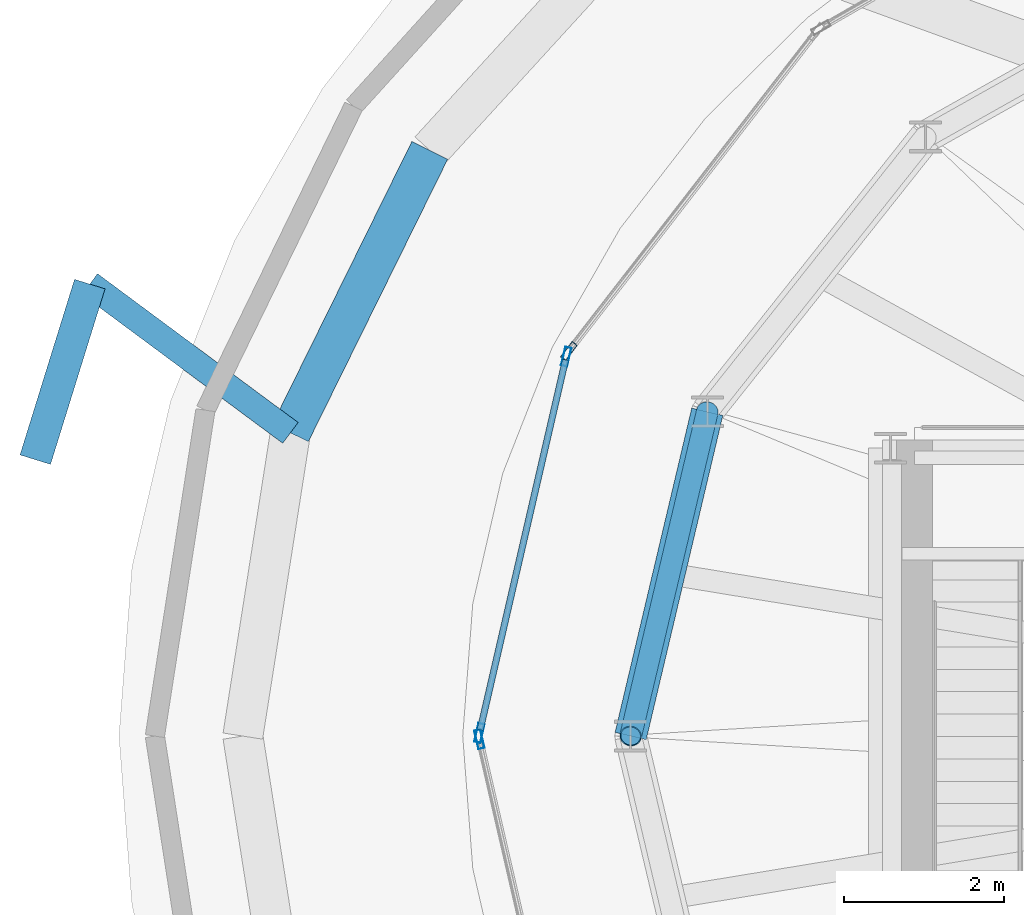
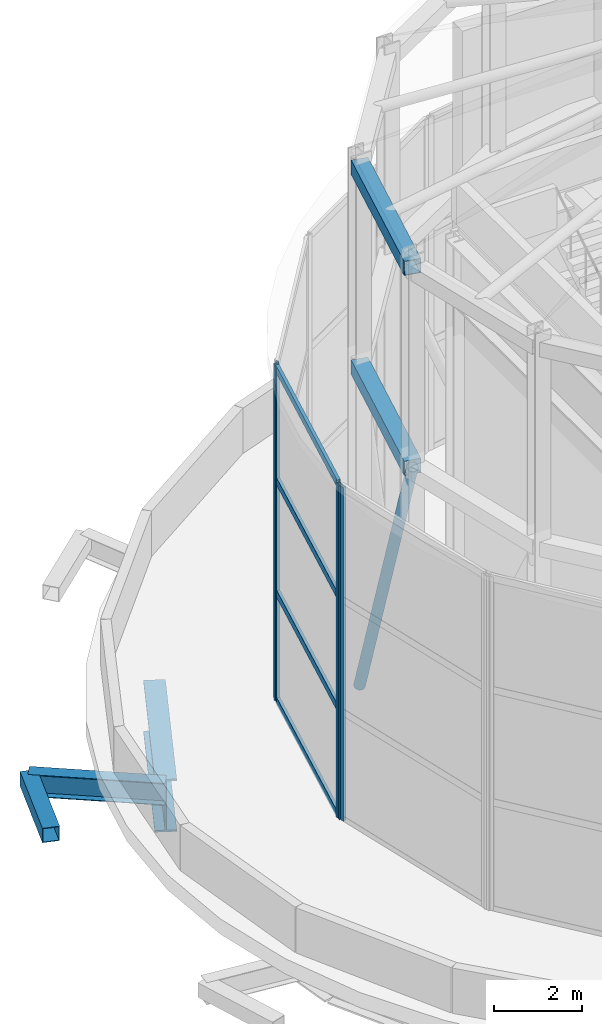
# One storey, part 10 of 22: 9 members, 5 beams, 3 elements without a shape of their own.
"""IFC4 building model written with IfcOpenShell, lengths in metres."""

from ifc_helpers import new_model, si_unit, direction, frame, origin, origin_2d, place, context, subcontext, project, spatial, hollow_rectangle, hollow_circle, i_section, extrude, material, layer, layer_set, material_profile, profile_set, type_object, element, aggregate, save


model = new_model("IFC4")

# Units and contexts
model_context = context("Model", 3, precision=1e-05, world=origin(), true_north=direction((0.0, 1.0)))
body_context = subcontext(model_context, "Body", "Model", "MODEL_VIEW")
ifc_project = project(units=[si_unit("LENGTHUNIT", "METRE"), si_unit("AREAUNIT", "SQUARE_METRE"), si_unit("VOLUMEUNIT", "CUBIC_METRE"), si_unit("PLANEANGLEUNIT", "RADIAN"), si_unit("MASSUNIT", "GRAM", prefix="KILO")], contexts=[model_context])

# Site, building, storey
site_placement = place(None, origin())
site = spatial("IfcSite", under=ifc_project, at=site_placement, CompositionType="ELEMENT")
building_placement = place(site_placement, origin())
building = spatial("IfcBuilding", under=site, at=building_placement, Name="Nuhasar Tower", CompositionType="ELEMENT")
storey_placement = place(building_placement, frame((0.0, 0.0, 313.39990234375)))
storey = spatial("IfcBuildingStorey", under=building, at=storey_placement, Name="Roof Drum", CompositionType="ELEMENT", Elevation=313.39990234375)

# Beams
ifc_material_1 = material(Name="Steel S355", Category="steel")
ifc_material_profile_1 = material_profile(ifc_material_1, hollow_rectangle(XDim=0.39990234375, YDim=0.39990234375, WallThickness=0.01611328125, at=origin_2d()), Name="HSS400X400X16")
ifc_profile_set_1 = profile_set([ifc_material_profile_1], Name="Steel S355")
beam_type_1 = type_object("IfcBeamType", Name="BM-CRN-HSS400", PredefinedType="SPANDREL", material=ifc_profile_set_1)
beam_1_placement = place(storey_placement, frame((19.635986328125, 32.452880859375, -0.619873046875), z_axis=(-0.296569540832, -0.955011260379, 0.0), x_axis=(0.955011260379, -0.296569540832, 0.0)))
element("IfcBeam", 1, at=beam_1_placement, inside=storey, type_object=beam_type_1, Name="Roof Drum Top Exoskeleton Collar Beam 06", PredefinedType="SPANDREL", context=body_context, shape_type="SweptSolid", body=[
    extrude(hollow_rectangle(XDim=0.39990234375, YDim=0.39990234375, WallThickness=0.01611328125, at=origin_2d()), origin(), (0.0, 0.0, 1.0), 2.29931640625),
])
for number, where, z_axis, x_axis, name in (
    (2, (27.35888671875, 30.85595703125, 9.02001953125), (-0.230097071892, -0.973167682112, 0.0), (0.973167682112, -0.230097071892, 0.0), "Crown Drum Eave Ring Beam 08"),
    (3, (27.35888671875, 30.85595703125, 14.5400390625), (-0.230097071892, -0.973167682112, 0.0), (0.973167682112, -0.230097071892, 0.0), "Crown Drum Top Ring Beam 08"),
):
    element("IfcBeam", number, at=place(storey_placement, frame(where, z_axis=z_axis, x_axis=x_axis)), inside=storey, type_object=beam_type_1, Name=name, PredefinedType="SPANDREL", context=body_context, shape_type="SweptSolid", body=[
        extrude(hollow_rectangle(XDim=0.39990234375, YDim=0.39990234375, WallThickness=0.01611328125, at=origin_2d()), origin(), (0.0, 0.0, 1.0), 4.167724609375),
    ])
ifc_material_profile_2 = material_profile(ifc_material_1, i_section(OverallWidth=0.323974609375, OverallDepth=0.611083984375, WebThickness=0.0126953125, FlangeThickness=0.01904296875, at=origin_2d()), Name="W24X104")
ifc_profile_set_2 = profile_set([ifc_material_profile_2], Name="Steel S355")
beam_type_2 = type_object("IfcBeamType", Name="BM-TIE-W24X104", PredefinedType="BEAM", material=ifc_profile_set_2)
beam_2_placement = place(storey_placement, frame((22.14501953125, 30.592041015625, -0.724853515625), z_axis=(-0.803205387389, 0.595702195454, 0.0), x_axis=(-0.595702195454, -0.803205387389, 0.0)))
element("IfcBeam", 4, at=beam_2_placement, inside=storey, type_object=beam_type_2, Name="Roof Drum Top Exoskeleton Tie Beam 06", PredefinedType="BEAM", context=body_context, shape_type="SweptSolid", body=[
    extrude(i_section(OverallWidth=0.323974609375, OverallDepth=0.611083984375, WebThickness=0.0126953125, FlangeThickness=0.01904296875, at=origin_2d()), origin(), (0.0, 0.0, 1.0), 3.123779296875),
])
ifc_material_2 = material(Name="Steel S460", Category="steel")
ifc_material_profile_3 = material_profile(ifc_material_2, i_section(OverallWidth=0.5, OverallDepth=1.449951171875, WebThickness=0.028076171875, FlangeThickness=0.050048828125, at=origin_2d()), Name="PG1450X500")
ifc_profile_set_3 = profile_set([ifc_material_profile_3], Name="Steel S460")
beam_type_3 = type_object("IfcBeamType", Name="BM-XFER-PG1450", PredefinedType="USERDEFINED", material=ifc_profile_set_3)
beam_3_placement = place(storey_placement, frame((23.887939453125, 34.125, -1.14501953125), z_axis=(-0.442422907363, -0.896806540476, 0.0), x_axis=(0.896806540476, -0.442422907363, 0.0)))
element("IfcBeam", 5, at=beam_3_placement, inside=storey, type_object=beam_type_3, Name="Roof Drum Outer Setback Spandrel 11", ObjectType="GIRDER", PredefinedType="USERDEFINED", context=body_context, shape_type="SweptSolid", body=[
    extrude(i_section(OverallWidth=0.5, OverallDepth=1.449951171875, WebThickness=0.028076171875, FlangeThickness=0.050048828125, at=origin_2d()), origin(), (0.0, 0.0, 1.0), 3.939453125),
])

# Member
ifc_material_profile_4 = material_profile(ifc_material_1, hollow_circle(Radius=0.136474609375, WallThickness=0.0126953125, at=origin_2d()), Name="HSS273.1X12.7")
ifc_profile_set_4 = profile_set([ifc_material_profile_4], Name="Steel S355")
member_type_1 = type_object("IfcMemberType", Name="CRN-DIAG-273", PredefinedType="BRACE", material=ifc_profile_set_4)
member_1_placement = place(storey_placement, frame((27.35888671875, 30.85595703125, 0.2001953125), z_axis=(-0.098307310955, -0.41577885868, 0.904136943879), x_axis=(0.973167682112, -0.230097071892, 0.0)))
element("IfcMember", 6, at=member_1_placement, inside=storey, type_object=member_type_1, Name="Crown Drum Frame Brace 08", PredefinedType="BRACE", context=body_context, shape_type="SweptSolid", body=[
    extrude(hollow_circle(Radius=0.136474609375, WallThickness=0.0126953125, at=origin_2d()), origin(), (0.0, 0.0, 1.0), 9.7548828125),
])

# Curtain wall, member
ifc_material_3 = material(Name="Aluminium 6063-T6", Category="aluminium")
ifc_layer = layer(ifc_material_3, 0.219970703125)
ifc_layer_set = layer_set([ifc_layer], Name="Aluminium 6063-T6")
curtain_wall_type = type_object("IfcCurtainWallType", Name="CW-CROWN", PredefinedType="NOTDEFINED", material=ifc_layer_set)
curtain_wall_1_placement = place(storey_placement, origin())
curtain_wall_1 = element("IfcCurtainWall", 7, at=curtain_wall_1_placement, inside=storey, type_object=curtain_wall_type, Name="Crown Lantern Curtain Wall 07", PredefinedType="NOTDEFINED")
ifc_material_profile_5 = material_profile(ifc_material_3, hollow_rectangle(XDim=0.080078125, YDim=0.239990234375, WallThickness=0.0048828125, at=origin_2d()), Name="CWM-7")
ifc_profile_set_5 = profile_set([ifc_material_profile_5], Name="Aluminium 6063-T6")
member_type_2 = type_object("IfcMemberType", Name="CW-MUL-S7", PredefinedType="MULLION", material=ifc_profile_set_5)
member_2_placement = place(storey_placement, frame((25.62841796875, 31.61572265625, 0.0), z_axis=(0.0, 0.0, 1.0), x_axis=(0.79037966023, -0.612617329738, 0.0)))
member_2 = element("IfcMember", 8, at=member_2_placement, type_object=member_type_2, Name="CW-CR mullion 2", PredefinedType="MULLION", context=body_context, shape_type="SweptSolid", body=[
    extrude(hollow_rectangle(XDim=0.080078125, YDim=0.239990234375, WallThickness=0.0048828125, at=origin_2d()), origin(), (0.0, 0.0, 1.0), 9.22021484375),
])
aggregate(curtain_wall_1, [member_2])

# Curtain wall, members
curtain_wall_2_placement = place(storey_placement, origin())
curtain_wall_2 = element("IfcCurtainWall", 9, at=curtain_wall_2_placement, inside=storey, type_object=curtain_wall_type, Name="Crown Lantern Curtain Wall 08", PredefinedType="NOTDEFINED")
member_3_placement = place(storey_placement, frame((25.594970703125, 31.544921875, 0.0), z_axis=(0.0, 0.0, 1.0), x_axis=(0.974391195694, -0.2248595067, 0.0)))
member_3 = element("IfcMember", 10, at=member_3_placement, type_object=member_type_2, Name="CW-CR mullion 1", PredefinedType="MULLION", context=body_context, shape_type="SweptSolid", body=[
    extrude(hollow_rectangle(XDim=0.080078125, YDim=0.239990234375, WallThickness=0.0048828125, at=origin_2d()), origin(), (0.0, 0.0, 1.0), 9.22021484375),
])
member_4_placement = place(storey_placement, frame((24.509033203125, 26.8388671875, 0.0), z_axis=(0.0, 0.0, 1.0), x_axis=(0.974391195694, -0.2248595067, 0.0)))
member_4 = element("IfcMember", 11, at=member_4_placement, type_object=member_type_2, Name="CW-CR mullion 2", PredefinedType="MULLION", context=body_context, shape_type="SweptSolid", body=[
    extrude(hollow_rectangle(XDim=0.080078125, YDim=0.239990234375, WallThickness=0.0048828125, at=origin_2d()), origin(), (0.0, 0.0, 1.0), 9.22021484375),
])

# Curtain wall, member
curtain_wall_3_placement = place(storey_placement, origin())
curtain_wall_3 = element("IfcCurtainWall", 12, at=curtain_wall_3_placement, inside=storey, type_object=curtain_wall_type, Name="Crown Lantern Curtain Wall 09", PredefinedType="NOTDEFINED")
member_5_placement = place(storey_placement, frame((24.509033203125, 26.760986328125, 0.0), z_axis=(0.0, 0.0, 1.0), x_axis=(0.974391195694, 0.2248595067, 0.0)))
member_5 = element("IfcMember", 13, at=member_5_placement, type_object=member_type_2, Name="CW-CR mullion 1", PredefinedType="MULLION", context=body_context, shape_type="SweptSolid", body=[
    extrude(hollow_rectangle(XDim=0.080078125, YDim=0.239990234375, WallThickness=0.0048828125, at=origin_2d()), origin(), (0.0, 0.0, 1.0), 9.22021484375),
])
aggregate(curtain_wall_3, [member_5])

# Member
ifc_material_profile_6 = material_profile(ifc_material_3, hollow_rectangle(XDim=0.080078125, YDim=0.199951171875, WallThickness=0.00439453125, at=origin_2d()), Name="CWT-7")
ifc_profile_set_6 = profile_set([ifc_material_profile_6], Name="Aluminium 6063-T6")
member_type_3 = type_object("IfcMemberType", Name="CW-TRN-S7", PredefinedType="USERDEFINED", material=ifc_profile_set_6)
member_6_placement = place(storey_placement, frame((25.5859375, 31.506103515625, 0.0400390625), z_axis=(-0.224825720852, -0.974398991812, 0.0), x_axis=(0.974398991812, -0.224825720852, 0.0)))
member_6 = element("IfcMember", 14, at=member_6_placement, type_object=member_type_3, Name="CW-CR transom 1.1", ObjectType="TRANSOM", PredefinedType="USERDEFINED", context=body_context, shape_type="SweptSolid", body=[
    extrude(hollow_rectangle(XDim=0.080078125, YDim=0.199951171875, WallThickness=0.00439453125, at=origin_2d()), origin(), (0.0, 0.0, 1.0), 4.749755859375),
])

member_7_placement = place(storey_placement, frame((25.5859375, 31.506103515625, 3.0), z_axis=(-0.224825720852, -0.974398991812, 0.0), x_axis=(0.974398991812, -0.224825720852, 0.0)))
member_7 = element("IfcMember", 15, at=member_7_placement, type_object=member_type_3, Name="CW-CR transom 1.2", ObjectType="TRANSOM", PredefinedType="USERDEFINED", context=body_context, shape_type="SweptSolid", body=[
    extrude(hollow_rectangle(XDim=0.080078125, YDim=0.199951171875, WallThickness=0.00439453125, at=origin_2d()), origin(), (0.0, 0.0, 1.0), 4.749755859375),
])

member_8_placement = place(storey_placement, frame((25.5859375, 31.506103515625, 6.10009765625), z_axis=(-0.224825720852, -0.974398991812, 0.0), x_axis=(0.974398991812, -0.224825720852, 0.0)))
member_8 = element("IfcMember", 16, at=member_8_placement, type_object=member_type_3, Name="CW-CR transom 1.3", ObjectType="TRANSOM", PredefinedType="USERDEFINED", context=body_context, shape_type="SweptSolid", body=[
    extrude(hollow_rectangle(XDim=0.080078125, YDim=0.199951171875, WallThickness=0.00439453125, at=origin_2d()), origin(), (0.0, 0.0, 1.0), 4.749755859375),
])

member_9_placement = place(storey_placement, frame((25.5859375, 31.506103515625, 9.18017578125), z_axis=(-0.224825720852, -0.974398991812, 0.0), x_axis=(0.974398991812, -0.224825720852, 0.0)))
member_9 = element("IfcMember", 17, at=member_9_placement, type_object=member_type_3, Name="CW-CR transom 1.4", ObjectType="TRANSOM", PredefinedType="USERDEFINED", context=body_context, shape_type="SweptSolid", body=[
    extrude(hollow_rectangle(XDim=0.080078125, YDim=0.199951171875, WallThickness=0.00439453125, at=origin_2d()), origin(), (0.0, 0.0, 1.0), 4.749755859375),
])

aggregate(curtain_wall_2, [member_3, member_4, member_6, member_7, member_8, member_9])

save(model, "model.ifc")
